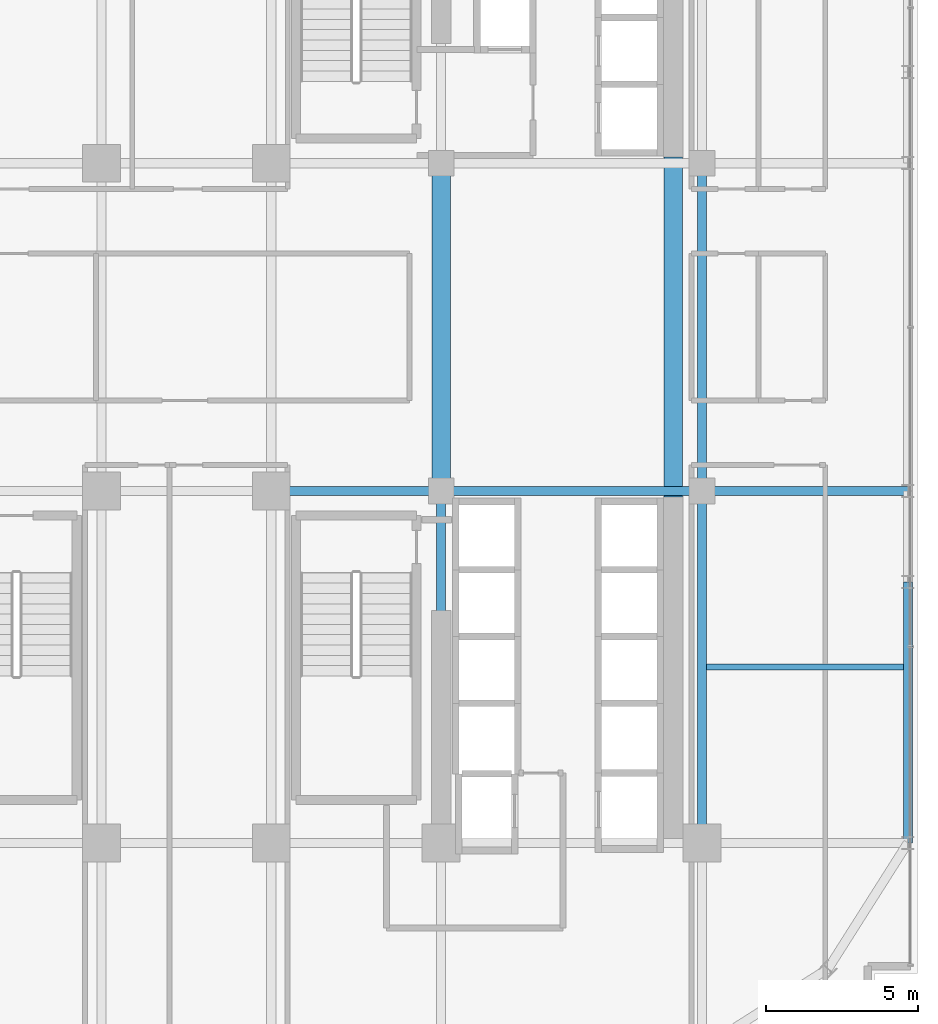
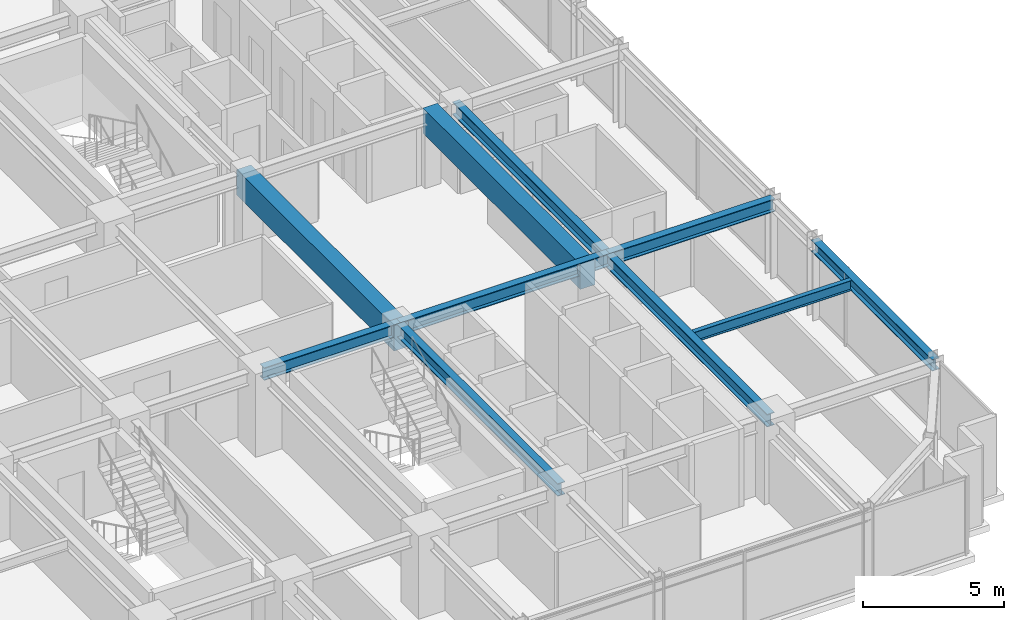
# One storey, part 13 of 31: 10 beams.
"""IFC4 building model written with IfcOpenShell, lengths in metres."""

from ifc_helpers import new_model, si_unit, direction, frame, origin, origin_2d, place, context, subcontext, project, spatial, rectangle, i_section, extrude, source, transform, mapped, material, material_profile, profile_set, type_object, element, save


model = new_model("IFC4")

# Units and contexts
model_context = context("Model", 3, precision=1e-05, world=origin(), true_north=direction((0.0, 1.0)))
body_context = subcontext(model_context, "Body", "Model", "MODEL_VIEW")
ifc_project = project(units=[si_unit("LENGTHUNIT", "METRE"), si_unit("AREAUNIT", "SQUARE_METRE"), si_unit("VOLUMEUNIT", "CUBIC_METRE"), si_unit("PLANEANGLEUNIT", "RADIAN"), si_unit("MASSUNIT", "GRAM", prefix="KILO")], contexts=[model_context])

# Site, building, storey
site_placement = place(None, origin())
site = spatial("IfcSite", under=ifc_project, at=site_placement, CompositionType="ELEMENT")
building_placement = place(site_placement, origin())
building = spatial("IfcBuilding", under=site, at=building_placement, Name="Nahalor Promenade Grand Hotel", CompositionType="ELEMENT")
storey_placement = place(building_placement, frame((0.0, 0.0, 95.60009765625)))
storey = spatial("IfcBuildingStorey", under=building, at=storey_placement, Name="L23", CompositionType="ELEMENT", Elevation=95.60009765625)

# Beams
ifc_material_1 = material(Name="Concrete B-60 (C50/60)", Category="concrete")
ifc_material_profile_1 = material_profile(ifc_material_1, rectangle(XDim=0.6, YDim=1.1, at=origin_2d()), Name="RC 600x1100")
ifc_profile_set_1 = profile_set([ifc_material_profile_1], Name="Concrete B-60 (C50/60)")
beam_type_1 = type_object("IfcBeamType", Name="Beam-Lintel-RC1100", PredefinedType="LINTEL", material=ifc_profile_set_1)
shared_shape_1 = source(origin(), body_context, "Body", "SweptSolid", [
    extrude(rectangle(XDim=0.6, YDim=1.1, at=origin_2d()), origin(), (0.0, 0.0, 1.0), 11.2001953125),
])
for number, where, z_axis, x_axis, name in (
    (1, (8.39990234375, -5.60009765625, 2.829833984375), (0.0, 1.0, 0.0), (-1.0, 0.0, 0.0), "BM-L23-LINT-W"),
    (2, (16.050048828125, -5.60009765625, 2.829833984375), (0.0, 1.0, 0.0), (-1.0, 0.0, 0.0), "BM-L23-LINT-E"),
):
    element("IfcBeam", number, at=place(storey_placement, frame(where, z_axis=z_axis, x_axis=x_axis)), inside=storey, type_object=beam_type_1, Name=name, PredefinedType="LINTEL", context=body_context, shape_type="MappedRepresentation", body=[
        mapped(shared_shape_1, transform((0.0, 0.0, 0.0), scale=1.0)),
    ])
ifc_material_2 = material(Name="Steel S355JR", Category="steel")
ifc_material_profile_2 = material_profile(ifc_material_2, i_section(OverallWidth=0.3, OverallDepth=0.5, WebThickness=0.0145, FlangeThickness=0.028, at=origin_2d()), Name="HEB 500")
ifc_profile_set_2 = profile_set([ifc_material_profile_2], Name="Steel S355JR")
beam_type_2 = type_object("IfcBeamType", Name="Beam-Spandrel-HEB500", PredefinedType="SPANDREL", material=ifc_profile_set_2)
shared_shape_2 = source(origin(), body_context, "Body", "SweptSolid", [
    extrude(i_section(OverallWidth=0.3, OverallDepth=0.5, WebThickness=0.0145, FlangeThickness=0.028, at=origin_2d()), origin(), (0.0, 0.0, 1.0), 8.60009765625),
])
beam_1_placement = place(storey_placement, frame((23.780029296875, -17.0, 3.1298828125), z_axis=(0.0, 1.0, 0.0), x_axis=(-1.0, 0.0, 0.0)))
element("IfcBeam", 3, at=beam_1_placement, inside=storey, type_object=beam_type_2, Name="BM-L23-SP-E-0", PredefinedType="SPANDREL", context=body_context, shape_type="MappedRepresentation", body=[
    mapped(shared_shape_2, transform((0.0, 0.0, 0.0), scale=1.0)),
])
ifc_material_profile_3 = material_profile(ifc_material_2, i_section(OverallWidth=0.3, OverallDepth=0.55, WebThickness=0.015, FlangeThickness=0.029, at=origin_2d()), Name="HEB 550")
ifc_profile_set_3 = profile_set([ifc_material_profile_3], Name="Steel S355JR")
beam_type_3 = type_object("IfcBeamType", Name="Beam-Girder-HEB550", PredefinedType="BEAM", material=ifc_profile_set_3)
shared_shape_3 = source(origin(), body_context, "Body", "SweptSolid", [
    extrude(i_section(OverallWidth=0.3, OverallDepth=0.55, WebThickness=0.015, FlangeThickness=0.029, at=origin_2d()), origin(), (0.0, 0.0, 1.0), 6.780029296875),
])
beam_2_placement = place(storey_placement, frame((17.0, -5.39990234375, 3.10498046875), z_axis=(1.0, 0.0, 0.0), x_axis=(0.0, 1.0, 0.0)))
element("IfcBeam", 4, at=beam_2_placement, inside=storey, type_object=beam_type_3, Name="BM-L23-GX-1-6", PredefinedType="BEAM", context=body_context, shape_type="MappedRepresentation", body=[
    mapped(shared_shape_3, transform((0.0, 0.0, 0.0), scale=1.0)),
])
shared_shape_4 = source(origin(), body_context, "Body", "SweptSolid", [
    extrude(i_section(OverallWidth=0.3, OverallDepth=0.55, WebThickness=0.015, FlangeThickness=0.029, at=origin_2d()), origin(), (0.0, 0.0, 1.0), 8.60009765625),
])
beam_3_placement = place(storey_placement, frame((8.39990234375, -5.39990234375, 3.10498046875), z_axis=(1.0, 0.0, 0.0), x_axis=(0.0, 1.0, 0.0)))
element("IfcBeam", 5, at=beam_3_placement, inside=storey, type_object=beam_type_3, Name="BM-L23-GX-1-5", PredefinedType="BEAM", context=body_context, shape_type="MappedRepresentation", body=[
    mapped(shared_shape_4, transform((0.0, 0.0, 0.0), scale=1.0)),
])
shared_shape_5 = source(origin(), body_context, "Body", "SweptSolid", [
    extrude(i_section(OverallWidth=0.3, OverallDepth=0.55, WebThickness=0.015, FlangeThickness=0.029, at=origin_2d()), origin(), (0.0, 0.0, 1.0), 5.599853515625),
])
beam_4_placement = place(storey_placement, frame((2.800048828125, -5.39990234375, 3.10498046875), z_axis=(1.0, 0.0, 0.0), x_axis=(0.0, 1.0, 0.0)))
element("IfcBeam", 6, at=beam_4_placement, inside=storey, type_object=beam_type_3, Name="BM-L23-GX-1-4", PredefinedType="BEAM", context=body_context, shape_type="MappedRepresentation", body=[
    mapped(shared_shape_5, transform((0.0, 0.0, 0.0), scale=1.0)),
])
shared_shape_6 = source(origin(), body_context, "Body", "SweptSolid", [
    extrude(i_section(OverallWidth=0.3, OverallDepth=0.55, WebThickness=0.015, FlangeThickness=0.029, at=origin_2d()), origin(), (0.0, 0.0, 1.0), 11.60009765625),
])
for number, where, z_axis, x_axis, name in (
    (7, (8.39990234375, -17.0, 3.10498046875), (0.0, 1.0, 0.0), (-1.0, 0.0, 0.0), "BM-L23-GY-4-1"),
    (8, (17.0, -17.0, 3.10498046875), (0.0, 1.0, 0.0), (-1.0, 0.0, 0.0), "BM-L23-GY-5-1"),
):
    element("IfcBeam", number, at=place(storey_placement, frame(where, z_axis=z_axis, x_axis=x_axis)), inside=storey, type_object=beam_type_3, Name=name, PredefinedType="BEAM", context=body_context, shape_type="MappedRepresentation", body=[
        mapped(shared_shape_6, transform((0.0, 0.0, 0.0), scale=1.0)),
    ])
shared_shape_7 = source(origin(), body_context, "Body", "SweptSolid", [
    extrude(i_section(OverallWidth=0.3, OverallDepth=0.55, WebThickness=0.015, FlangeThickness=0.029, at=origin_2d()), origin(), (0.0, 0.0, 1.0), 10.7998046875),
])
beam_5_placement = place(storey_placement, frame((17.0, -5.39990234375, 3.10498046875), z_axis=(0.0, 1.0, 0.0), x_axis=(-1.0, 0.0, 0.0)))
element("IfcBeam", 9, at=beam_5_placement, inside=storey, type_object=beam_type_3, Name="BM-L23-GY-5-2", PredefinedType="BEAM", context=body_context, shape_type="MappedRepresentation", body=[
    mapped(shared_shape_7, transform((0.0, 0.0, 0.0), scale=1.0)),
])
ifc_material_profile_4 = material_profile(ifc_material_2, i_section(OverallWidth=0.19, OverallDepth=0.45, WebThickness=0.0094, FlangeThickness=0.0146, at=origin_2d()), Name="IPE 450")
ifc_profile_set_4 = profile_set([ifc_material_profile_4], Name="Steel S355JR")
beam_type_4 = type_object("IfcBeamType", Name="Beam-Joist-IPE450", PredefinedType="JOIST", material=ifc_profile_set_4)
shared_shape_8 = source(origin(), body_context, "Body", "SweptSolid", [
    extrude(i_section(OverallWidth=0.19, OverallDepth=0.45, WebThickness=0.0094, FlangeThickness=0.0146, at=origin_2d()), origin(), (0.0, 0.0, 1.0), 6.47998046875),
])
beam_6_placement = place(storey_placement, frame((17.14990234375, -11.199951171875, 3.15478515625), z_axis=(1.0, 0.0, 0.0), x_axis=(0.0, 1.0, 0.0)))
element("IfcBeam", 10, at=beam_6_placement, inside=storey, type_object=beam_type_4, Name="BM-L23-JSE-0-2", PredefinedType="JOIST", context=body_context, shape_type="MappedRepresentation", body=[
    mapped(shared_shape_8, transform((0.0, 0.0, 0.0), scale=1.0)),
])

save(model, "model.ifc")
